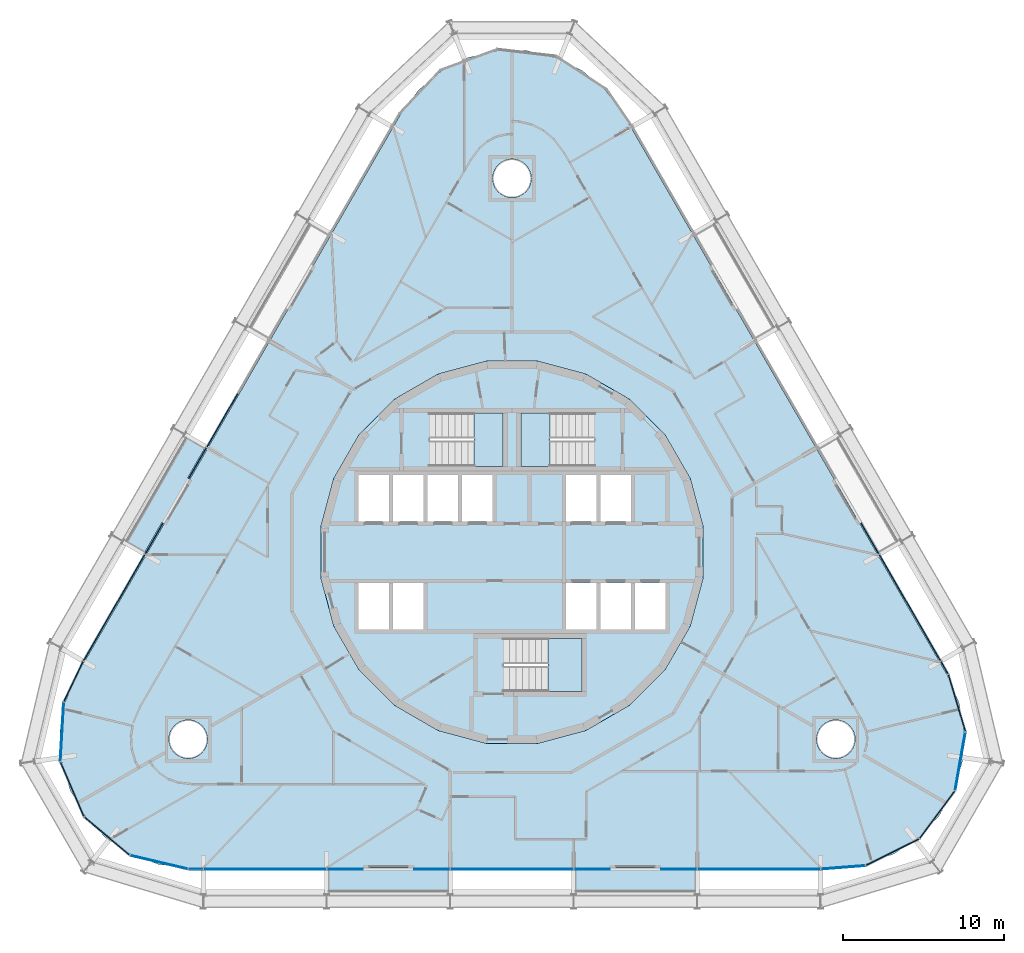
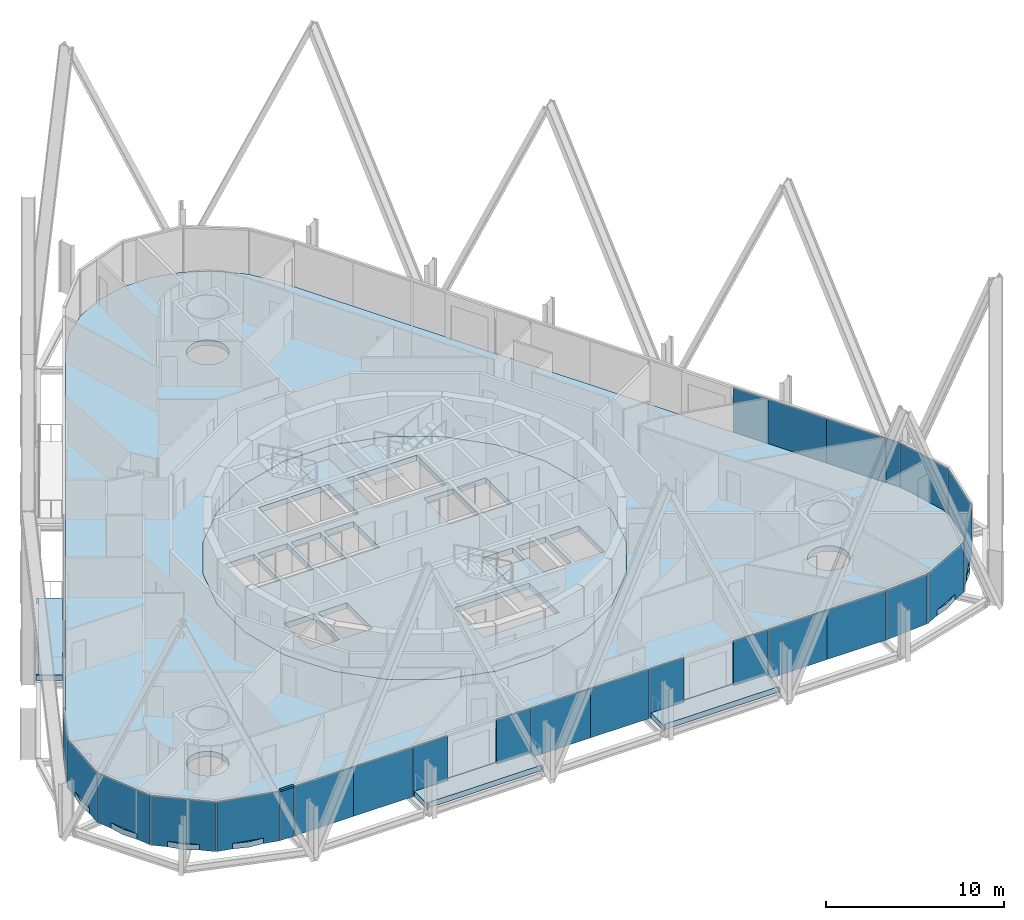
# One storey, part 13 of 22: 30 plates, 8 slabs, 1 member, 8 elements without a shape of their own.
"""IFC4 building model written with IfcOpenShell, lengths in metres."""

from ifc_helpers import new_model, si_unit, direction, frame, origin, origin_2d, place, context, subcontext, project, spatial, polyline, rectangle, outline, extrude, material, layer, layer_set, material_profile, profile_set, type_object, element, aggregate, save


model = new_model("IFC4")

# Units and contexts
model_context = context("Model", 3, precision=1e-05, world=origin(), true_north=direction((0.0, 1.0)))
body_context = subcontext(model_context, "Body", "Model", "MODEL_VIEW")
ifc_project = project(units=[si_unit("LENGTHUNIT", "METRE"), si_unit("AREAUNIT", "SQUARE_METRE"), si_unit("VOLUMEUNIT", "CUBIC_METRE"), si_unit("PLANEANGLEUNIT", "RADIAN"), si_unit("MASSUNIT", "GRAM", prefix="KILO")], contexts=[model_context])

# Site, building, storey
site_placement = place(None, origin())
site = spatial("IfcSite", under=ifc_project, at=site_placement, CompositionType="ELEMENT")
building_placement = place(site_placement, origin())
building = spatial("IfcBuilding", under=site, at=building_placement, Name="Spindle Arch Residences", CompositionType="ELEMENT")
storey_placement = place(building_placement, frame((0.0, 0.0, 52.39990234375)))
storey = spatial("IfcBuildingStorey", under=building, at=storey_placement, Name="L11", CompositionType="ELEMENT", Elevation=52.39990234375)

# Curtain wall, member
ifc_material_1 = material(Name="Aluminium bronze unitised frame with tinted glass", Category="aluminium")
ifc_layer_1 = layer(ifc_material_1, 0.159912109375)
ifc_layer_set_1 = layer_set([ifc_layer_1], Name="CW-D corner wall on the fillet arcs")
curtain_wall_type_1 = type_object("IfcCurtainWallType", Name="CW-D corner wall on the fillet arcs", PredefinedType="NOTDEFINED", material=ifc_layer_set_1)
curtain_wall_1_placement = place(storey_placement, origin())
curtain_wall_1 = element("IfcCurtainWall", 1, at=curtain_wall_1_placement, inside=storey, type_object=curtain_wall_type_1, Name="CW-D L11 run 5", PredefinedType="NOTDEFINED")
ifc_material_2 = material(Name="Aluminium bronze anodised transom", Category="aluminium")
ifc_material_profile = material_profile(ifc_material_2, rectangle(XDim=0.159912109375, YDim=0.1201171875, at=origin_2d()), Name="TR 120x160")
ifc_profile_set = profile_set([ifc_material_profile], Name="Aluminium bronze anodised transom")
member_type = type_object("IfcMemberType", Name="Bronze transom 120x160", PredefinedType="USERDEFINED", material=ifc_profile_set)
member_placement = place(storey_placement, frame((-20.113525390625, -19.7099609375, 3.06005859375), z_axis=(1.0, 0.0, 0.0), x_axis=(0.0, 1.0, 0.0)))
member = element("IfcMember", 2, at=member_placement, type_object=member_type, Name="CW-D transom 05", ObjectType="TRANSOM", PredefinedType="USERDEFINED", context=body_context, shape_type="SweptSolid", body=[
    extrude(rectangle(XDim=0.159912109375, YDim=0.1201171875, at=origin_2d()), origin(), (0.0, 0.0, 1.0), 0.88330078125),
])

# Slabs
ifc_material_3 = material(Name="Concrete C40/50", Category="concrete")
ifc_layer_2 = layer(ifc_material_3, 0.3798828125)
ifc_layer_set_2 = layer_set([ifc_layer_2], Name="Balcony slab 380")
slab_type_1 = type_object("IfcSlabType", Name="Balcony slab 380", PredefinedType="FLOOR", material=ifc_layer_set_2)
slab_1_placement = place(storey_placement, frame((0.0, 0.0, -0.3798828125)))
element("IfcSlab", 3, at=slab_1_placement, inside=storey, type_object=slab_type_1, Name="Balcony L11 bay 1", PredefinedType="FLOOR", context=body_context, shape_type="SweptSolid", body=[
    extrude(outline(polyline([(3.9150390625, -21.280029296875), (3.989990234375, -21.280029296875), (3.989990234375, -21.1298828125), (11.3701171875, -21.1298828125), (11.3701171875, -21.280029296875), (11.445068359375, -21.280029296875), (11.445068359375, -19.789794921875), (9.280029296875, -19.789794921875), (9.280029296875, -19.6298828125), (6.080078125, -19.6298828125), (6.080078125, -19.789794921875), (3.9150390625, -19.789794921875), (3.9150390625, -21.280029296875)])), origin(), (0.0, 0.0, 1.0), 0.3798828125),
])
slab_2_placement = place(storey_placement, frame((0.0, 0.0, -0.3798828125)))
element("IfcSlab", 4, at=slab_2_placement, inside=storey, type_object=slab_type_1, Name="Balcony L11 bay 17", PredefinedType="FLOOR", context=body_context, shape_type="SweptSolid", body=[
    extrude(outline(polyline([(-20.386474609375, 7.24951171875), (-20.424072265625, 7.1845703125), (-20.2939453125, 7.109375), (-23.984130859375, 0.71826171875), (-24.114013671875, 0.793212890625), (-24.151611328125, 0.728271484375), (-22.861083984375, -0.016845703125), (-21.778564453125, 1.858154296875), (-21.64013671875, 1.778076171875), (-20.0400390625, 4.549560546875), (-20.1787109375, 4.62939453125), (-19.09619140625, 6.50439453125), (-20.386474609375, 7.24951171875)])), origin(), (0.0, 0.0, 1.0), 0.3798828125),
])
slab_3_placement = place(storey_placement, frame((0.0, 0.0, -0.3798828125)))
element("IfcSlab", 5, at=slab_3_placement, inside=storey, type_object=slab_type_1, Name="Balcony L11 bay 23", PredefinedType="FLOOR", context=body_context, shape_type="SweptSolid", body=[
    extrude(outline(polyline([(-11.445068359375, -21.280029296875), (-11.3701171875, -21.280029296875), (-11.3701171875, -21.1298828125), (-3.989990234375, -21.1298828125), (-3.989990234375, -21.280029296875), (-3.9150390625, -21.280029296875), (-3.9150390625, -19.789794921875), (-6.080078125, -19.789794921875), (-6.080078125, -19.6298828125), (-9.280029296875, -19.6298828125), (-9.280029296875, -19.789794921875), (-11.445068359375, -19.789794921875), (-11.445068359375, -21.280029296875)])), origin(), (0.0, 0.0, 1.0), 0.3798828125),
])
ifc_material_4 = material(Name="Concrete C50/60", Category="concrete")
ifc_layer_3 = layer(ifc_material_4, 0.3798828125)
ifc_layer_set_3 = layer_set([ifc_layer_3], Name="Core floor slab 380")
slab_type_2 = type_object("IfcSlabType", Name="Core floor slab 380", PredefinedType="FLOOR", material=ifc_layer_set_3)
slab_4_placement = place(storey_placement, frame((0.0, 0.0, -0.3798828125)))
element("IfcSlab", 6, at=slab_4_placement, inside=storey, type_object=slab_type_2, Name="Core floor L11", PredefinedType="FLOOR", context=body_context, shape_type="SweptSolid", body=[
    extrude(outline(polyline([(1.56640625, -11.897216796875), (4.59228515625, -11.086669921875), (7.30517578125, -9.520263671875), (9.520263671875, -7.30517578125), (11.086669921875, -4.59228515625), (11.897216796875, -1.56640625), (11.897216796875, 1.56640625), (11.086669921875, 4.59228515625), (9.520263671875, 7.30517578125), (7.30517578125, 9.520263671875), (4.59228515625, 11.086669921875), (1.56640625, 11.897216796875), (-1.56640625, 11.897216796875), (-4.59228515625, 11.086669921875), (-7.30517578125, 9.520263671875), (-9.520263671875, 7.30517578125), (-11.086669921875, 4.59228515625), (-11.897216796875, 1.56640625), (-11.897216796875, -1.56640625), (-11.086669921875, -4.59228515625), (-9.520263671875, -7.30517578125), (-7.30517578125, -9.520263671875), (-4.59228515625, -11.086669921875), (-1.56640625, -11.897216796875), (1.56640625, -11.897216796875)]), holes=[polyline([(-9.550048828125, 1.89990234375), (-7.64990234375, 1.89990234375), (-7.64990234375, 4.800048828125), (-9.550048828125, 4.800048828125), (-9.550048828125, 1.89990234375)]), polyline([(-7.39990234375, 1.89990234375), (-5.5, 1.89990234375), (-5.5, 4.800048828125), (-7.39990234375, 4.800048828125), (-7.39990234375, 1.89990234375)]), polyline([(-5.25, 1.89990234375), (-3.35009765625, 1.89990234375), (-3.35009765625, 4.800048828125), (-5.25, 4.800048828125), (-5.25, 1.89990234375)]), polyline([(-3.10009765625, 1.89990234375), (-1.199951171875, 1.89990234375), (-1.199951171875, 4.800048828125), (-3.10009765625, 4.800048828125), (-3.10009765625, 1.89990234375)]), polyline([(3.35009765625, 1.89990234375), (5.25, 1.89990234375), (5.25, 4.800048828125), (3.35009765625, 4.800048828125), (3.35009765625, 1.89990234375)]), polyline([(5.5, 1.89990234375), (7.39990234375, 1.89990234375), (7.39990234375, 4.800048828125), (5.5, 4.800048828125), (5.5, 1.89990234375)]), polyline([(-9.550048828125, -4.800048828125), (-7.64990234375, -4.800048828125), (-7.64990234375, -1.89990234375), (-9.550048828125, -1.89990234375), (-9.550048828125, -4.800048828125)]), polyline([(-7.39990234375, -4.800048828125), (-5.5, -4.800048828125), (-5.5, -1.89990234375), (-7.39990234375, -1.89990234375), (-7.39990234375, -4.800048828125)]), polyline([(3.35009765625, -4.800048828125), (5.25, -4.800048828125), (5.25, -1.89990234375), (3.35009765625, -1.89990234375), (3.35009765625, -4.800048828125)]), polyline([(5.5, -4.800048828125), (7.39990234375, -4.800048828125), (7.39990234375, -1.89990234375), (5.5, -1.89990234375), (5.5, -4.800048828125)]), polyline([(7.64990234375, -4.800048828125), (9.550048828125, -4.800048828125), (9.550048828125, -1.89990234375), (7.64990234375, -1.89990234375), (7.64990234375, -4.800048828125)]), polyline([(5.1298828125, 8.669921875), (0.550048828125, 8.669921875), (0.550048828125, 5.35009765625), (5.1298828125, 5.35009765625), (5.1298828125, 8.669921875)]), polyline([(-5.1298828125, 5.35009765625), (-0.550048828125, 5.35009765625), (-0.550048828125, 8.669921875), (-5.1298828125, 8.669921875), (-5.1298828125, 5.35009765625)]), polyline([(-0.530029296875, -8.669921875), (4.35009765625, -8.669921875), (4.35009765625, -5.35009765625), (-0.530029296875, -5.35009765625), (-0.530029296875, -8.669921875)])]), origin(), (0.0, 0.0, 1.0), 0.3798828125),
])

# Stair, slab
ifc_material_5 = material(Name="Concrete C50/60", Category="concrete")
stair_type = type_object("IfcStairType", Name="Exit stair 16 risers", PredefinedType="HALF_TURN_STAIR", material=ifc_material_5)
stair_1_placement = place(storey_placement, origin())
stair_1 = element("IfcStair", 7, at=stair_1_placement, inside=storey, type_object=stair_type, Name="L11 Exit stair ST1", PredefinedType="HALF_TURN_STAIR")
ifc_material_6 = material(Name="Concrete C50/60", Category="concrete")
ifc_layer_4 = layer(ifc_material_6, 0.219970703125)
ifc_layer_set_4 = layer_set([ifc_layer_4], Name="Exit stair landing 220")
slab_type_3 = type_object("IfcSlabType", Name="Exit stair landing 220", PredefinedType="LANDING", material=ifc_layer_set_4)
slab_5_placement = place(storey_placement, frame((0.0, 0.0, 1.530029296875)))
slab_5 = element("IfcSlab", 8, at=slab_5_placement, type_object=slab_type_3, Name="ST1 landing 1", PredefinedType="LANDING", context=body_context, shape_type="SweptSolid", body=[
    extrude(outline(polyline([(2.3701171875, 8.669921875), (0.550048828125, 8.669921875), (0.550048828125, 5.35009765625), (2.3701171875, 5.35009765625), (2.3701171875, 8.669921875)])), origin(), (0.0, 0.0, 1.0), 0.219970703125),
])
aggregate(stair_1, [slab_5])

stair_2_placement = place(storey_placement, origin())
stair_2 = element("IfcStair", 9, at=stair_2_placement, inside=storey, type_object=stair_type, Name="L11 Exit stair ST2", PredefinedType="HALF_TURN_STAIR")
slab_6_placement = place(storey_placement, frame((0.0, 0.0, 1.530029296875)))
slab_6 = element("IfcSlab", 10, at=slab_6_placement, type_object=slab_type_3, Name="ST2 landing 1", PredefinedType="LANDING", context=body_context, shape_type="SweptSolid", body=[
    extrude(outline(polyline([(-2.3701171875, 5.35009765625), (-0.550048828125, 5.35009765625), (-0.550048828125, 8.669921875), (-2.3701171875, 8.669921875), (-2.3701171875, 5.35009765625)])), origin(), (0.0, 0.0, 1.0), 0.219970703125),
])
aggregate(stair_2, [slab_6])

stair_3_placement = place(storey_placement, origin())
stair_3 = element("IfcStair", 11, at=stair_3_placement, inside=storey, type_object=stair_type, Name="L11 Exit stair ST3", PredefinedType="HALF_TURN_STAIR")
slab_7_placement = place(storey_placement, frame((0.0, 0.0, 1.530029296875)))
slab_7 = element("IfcSlab", 12, at=slab_7_placement, type_object=slab_type_3, Name="ST3 landing 1", PredefinedType="LANDING", context=body_context, shape_type="SweptSolid", body=[
    extrude(outline(polyline([(2.22998046875, -8.669921875), (4.35009765625, -8.669921875), (4.35009765625, -5.35009765625), (2.22998046875, -5.35009765625), (2.22998046875, -8.669921875)])), origin(), (0.0, 0.0, 1.0), 0.219970703125),
])
aggregate(stair_3, [slab_7])

# Slab
ifc_material_7 = material(Name="Concrete C40/50", Category="concrete")
ifc_layer_5 = layer(ifc_material_7, 0.3798828125)
ifc_layer_set_5 = layer_set([ifc_layer_5], Name="Floor slab 380")
slab_type_4 = type_object("IfcSlabType", Name="Floor slab 380", PredefinedType="FLOOR", material=ifc_layer_set_5)
slab_8_placement = place(storey_placement, frame((0.0, 0.0, -0.3798828125)))
element("IfcSlab", 13, at=slab_8_placement, inside=storey, type_object=slab_type_4, Name="Floor slab L11", PredefinedType="FLOOR", context=body_context, shape_type="SweptSolid", body=[
    extrude(outline(polyline([(-21.988525390625, -19.414306640625), (-23.73388671875, -18.779052734375), (-25.285888671875, -17.75830078125), (-26.560546875, -16.4072265625), (-27.4892578125, -14.798583984375), (-28.022216796875, -13.01904296875), (-28.130126953125, -11.164794921875), (-27.8076171875, -9.33544921875), (-27.07177734375, -7.6298828125), (-6.92822265625, 27.259765625), (-5.819091796875, 28.749755859375), (-4.39599609375, 29.943603515625), (-2.736083984375, 30.77734375), (-0.9287109375, 31.205810546875), (0.9287109375, 31.205810546875), (2.736083984375, 30.77734375), (4.39599609375, 29.943603515625), (5.819091796875, 28.749755859375), (6.92822265625, 27.259765625), (27.07177734375, -7.6298828125), (27.8076171875, -9.33544921875), (28.130126953125, -11.164794921875), (28.022216796875, -13.01904296875), (27.4892578125, -14.798583984375), (26.560546875, -16.4072265625), (25.285888671875, -17.75830078125), (23.73388671875, -18.779052734375), (21.988525390625, -19.414306640625), (20.1435546875, -19.6298828125), (0.0, -19.6298828125), (-20.1435546875, -19.6298828125), (-21.988525390625, -19.414306640625)]), holes=[polyline([(7.30517578125, -9.520263671875), (9.520263671875, -7.30517578125), (11.086669921875, -4.59228515625), (11.897216796875, -1.56640625), (11.897216796875, 1.56640625), (11.086669921875, 4.59228515625), (9.520263671875, 7.30517578125), (7.30517578125, 9.520263671875), (4.59228515625, 11.086669921875), (1.56640625, 11.897216796875), (-1.56640625, 11.897216796875), (-4.59228515625, 11.086669921875), (-7.30517578125, 9.520263671875), (-9.520263671875, 7.30517578125), (-11.086669921875, 4.59228515625), (-11.897216796875, 1.56640625), (-11.897216796875, -1.56640625), (-11.086669921875, -4.59228515625), (-9.520263671875, -7.30517578125), (-7.30517578125, -9.520263671875), (-4.59228515625, -11.086669921875), (-1.56640625, -11.897216796875), (1.56640625, -11.897216796875), (4.59228515625, -11.086669921875), (7.30517578125, -9.520263671875)]), polyline([(-19.295166015625, -12.478515625), (-19.145751953125, -12.296630859375), (-19.034912109375, -12.089111328125), (-18.966796875, -11.864013671875), (-18.943603515625, -11.6298828125), (-18.966796875, -11.395751953125), (-19.034912109375, -11.170654296875), (-19.145751953125, -10.963134765625), (-19.295166015625, -10.781494140625), (-19.476806640625, -10.632080078125), (-19.684326171875, -10.521240234375), (-19.909423828125, -10.452880859375), (-20.1435546875, -10.429931640625), (-20.377685546875, -10.452880859375), (-20.602783203125, -10.521240234375), (-20.810302734375, -10.632080078125), (-20.9921875, -10.781494140625), (-21.141357421875, -10.963134765625), (-21.252197265625, -11.170654296875), (-21.320556640625, -11.395751953125), (-21.343505859375, -11.6298828125), (-21.320556640625, -11.864013671875), (-21.252197265625, -12.089111328125), (-21.141357421875, -12.296630859375), (-20.9921875, -12.478515625), (-20.810302734375, -12.627685546875), (-20.602783203125, -12.738525390625), (-20.377685546875, -12.806884765625), (-20.1435546875, -12.829833984375), (-19.909423828125, -12.806884765625), (-19.684326171875, -12.738525390625), (-19.476806640625, -12.627685546875), (-19.295166015625, -12.478515625)]), polyline([(0.848388671875, 22.411376953125), (0.997802734375, 22.593017578125), (1.108642578125, 22.800537109375), (1.177001953125, 23.025634765625), (1.199951171875, 23.259765625), (1.177001953125, 23.493896484375), (1.108642578125, 23.718994140625), (0.997802734375, 23.926513671875), (0.848388671875, 24.1083984375), (0.666748046875, 24.257568359375), (0.459228515625, 24.368408203125), (0.234130859375, 24.436767578125), (0.0, 24.459716796875), (-0.234130859375, 24.436767578125), (-0.459228515625, 24.368408203125), (-0.666748046875, 24.257568359375), (-0.848388671875, 24.1083984375), (-0.997802734375, 23.926513671875), (-1.108642578125, 23.718994140625), (-1.177001953125, 23.493896484375), (-1.199951171875, 23.259765625), (-1.177001953125, 23.025634765625), (-1.108642578125, 22.800537109375), (-0.997802734375, 22.593017578125), (-0.848388671875, 22.411376953125), (-0.666748046875, 22.261962890625), (-0.459228515625, 22.151123046875), (-0.234130859375, 22.0830078125), (0.0, 22.059814453125), (0.234130859375, 22.0830078125), (0.459228515625, 22.151123046875), (0.666748046875, 22.261962890625), (0.848388671875, 22.411376953125)]), polyline([(20.9921875, -12.478515625), (21.141357421875, -12.296630859375), (21.252197265625, -12.089111328125), (21.320556640625, -11.864013671875), (21.343505859375, -11.6298828125), (21.320556640625, -11.395751953125), (21.252197265625, -11.170654296875), (21.141357421875, -10.963134765625), (20.9921875, -10.781494140625), (20.810302734375, -10.632080078125), (20.602783203125, -10.521240234375), (20.377685546875, -10.452880859375), (20.1435546875, -10.429931640625), (19.909423828125, -10.452880859375), (19.684326171875, -10.521240234375), (19.476806640625, -10.632080078125), (19.295166015625, -10.781494140625), (19.145751953125, -10.963134765625), (19.034912109375, -11.170654296875), (18.966796875, -11.395751953125), (18.943603515625, -11.6298828125), (18.966796875, -11.864013671875), (19.034912109375, -12.089111328125), (19.145751953125, -12.296630859375), (19.295166015625, -12.478515625), (19.476806640625, -12.627685546875), (19.684326171875, -12.738525390625), (19.909423828125, -12.806884765625), (20.1435546875, -12.829833984375), (20.377685546875, -12.806884765625), (20.602783203125, -12.738525390625), (20.810302734375, -12.627685546875), (20.9921875, -12.478515625)])]), origin(), (0.0, 0.0, 1.0), 0.3798828125),
])

# Curtain wall, plates
curtain_wall_2_placement = place(storey_placement, origin())
curtain_wall_2 = element("IfcCurtainWall", 14, at=curtain_wall_2_placement, inside=storey, type_object=curtain_wall_type_1, Name="CW-D L11 run 1", PredefinedType="NOTDEFINED")
ifc_material_8 = material(Name="Tinted double glazing over aluminium faced non-combustible spandrel zone (K0)", Category="aluminium")
ifc_layer_6 = layer(ifc_material_8, 0.06005859375)
ifc_layer_set_6 = layer_set([ifc_layer_6], Name="Unitised glass panel with E 60 spandrel zone")
plate_type = type_object("IfcPlateType", Name="Unitised glass panel with E 60 spandrel zone", PredefinedType="CURTAIN_PANEL", material=ifc_layer_set_6)
plate_1_placement = place(storey_placement, frame((20.603515625, -19.60107421875, -0.3798828125), z_axis=(0.0, 0.0, 1.0), x_axis=(0.997002907861, 0.077364085451, 0.0)))
plate_1 = element("IfcPlate", 15, at=plate_1_placement, type_object=plate_type, Name="CW-D unit 00", PredefinedType="CURTAIN_PANEL", context=body_context, shape_type="SweptSolid", body=[
    extrude(rectangle(XDim=2.755126953125, YDim=0.06005859375, at=origin_2d()), origin(), (0.0, 0.0, 1.0), 3.3798828125),
])
plate_2_placement = place(storey_placement, frame((23.672119140625, -18.65576171875, -0.3798828125), z_axis=(0.0, 0.0, 1.0), x_axis=(0.893632642326, 0.448799176213, 0.0)))
plate_2 = element("IfcPlate", 16, at=plate_2_placement, type_object=plate_type, Name="CW-D unit 01", PredefinedType="CURTAIN_PANEL", context=body_context, shape_type="SweptSolid", body=[
    extrude(rectangle(XDim=3.666748046875, YDim=0.06005859375, at=origin_2d()), origin(), (0.0, 0.0, 1.0), 3.3798828125),
])
plate_3_placement = place(storey_placement, frame((26.449951171875, -16.324951171875, -0.3798828125), z_axis=(0.0, 0.0, 1.0), x_axis=(0.597158595823, 0.802123189687, 0.0)))
plate_3 = element("IfcPlate", 17, at=plate_3_placement, type_object=plate_type, Name="CW-D unit 02", PredefinedType="CURTAIN_PANEL", context=body_context, shape_type="SweptSolid", body=[
    extrude(rectangle(XDim=3.666748046875, YDim=0.06005859375, at=origin_2d()), origin(), (0.0, 0.0, 1.0), 3.3798828125),
])
plate_4_placement = place(storey_placement, frame((27.88623046875, -12.9951171875, -0.3798828125), z_axis=(0.0, 0.0, 1.0), x_axis=(0.173648181019, 0.984807752421, 0.0)))
plate_4 = element("IfcPlate", 18, at=plate_4_placement, type_object=plate_type, Name="CW-D unit 03", PredefinedType="CURTAIN_PANEL", context=body_context, shape_type="SweptSolid", body=[
    extrude(rectangle(XDim=3.666748046875, YDim=0.06005859375, at=origin_2d()), origin(), (0.0, 0.0, 1.0), 3.3798828125),
])
plate_5_placement = place(storey_placement, frame((27.675537109375, -9.375, -0.3798828125), z_axis=(0.0, 0.0, 1.0), x_axis=(-0.28680323051, 0.957989512975, 0.0)))
plate_5 = element("IfcPlate", 19, at=plate_5_placement, type_object=plate_type, Name="CW-D unit 04", PredefinedType="CURTAIN_PANEL", context=body_context, shape_type="SweptSolid", body=[
    extrude(rectangle(XDim=3.666748046875, YDim=0.06005859375, at=origin_2d()), origin(), (0.0, 0.0, 1.0), 3.3798828125),
])
plate_6_placement = place(storey_placement, frame((26.9052734375, -7.181396484375, -0.3798828125), z_axis=(0.0, 0.0, 1.0), x_axis=(-0.5, 0.866025403784, 0.0)))
plate_6 = element("IfcPlate", 20, at=plate_6_placement, type_object=plate_type, Name="CW-D unit 05", PredefinedType="CURTAIN_PANEL", context=body_context, shape_type="SweptSolid", body=[
    extrude(rectangle(XDim=0.88330078125, YDim=0.06005859375, at=origin_2d()), origin(), (0.0, 0.0, 1.0), 3.3798828125),
])
aggregate(curtain_wall_2, [plate_1, plate_2, plate_3, plate_4, plate_5, plate_6])

ifc_material_9 = material(Name="Aluminium bronze unitised frame with tinted glass", Category="aluminium")
ifc_layer_7 = layer(ifc_material_9, 0.159912109375)
ifc_layer_set_7 = layer_set([ifc_layer_7], Name="CW-C typical residential unitised wall")
curtain_wall_type_2 = type_object("IfcCurtainWallType", Name="CW-C typical residential unitised wall", PredefinedType="NOTDEFINED", material=ifc_layer_set_7)
curtain_wall_3_placement = place(storey_placement, origin())
curtain_wall_3 = element("IfcCurtainWall", 21, at=curtain_wall_3_placement, inside=storey, type_object=curtain_wall_type_2, Name="CW-C L11 run 2", PredefinedType="NOTDEFINED")
plate_7_placement = place(storey_placement, frame((25.701904296875, -5.09716796875, -0.3798828125), z_axis=(0.0, 0.0, 1.0), x_axis=(-0.5, 0.866025403784, 0.0)))
plate_7 = element("IfcPlate", 22, at=plate_7_placement, type_object=plate_type, Name="CW-C unit 05A", PredefinedType="CURTAIN_PANEL", context=body_context, shape_type="SweptSolid", body=[
    extrude(rectangle(XDim=3.81005859375, YDim=0.06005859375, at=origin_2d()), origin(), (0.0, 0.0, 1.0), 3.3798828125),
])
plate_8_placement = place(storey_placement, frame((23.796875, -1.797607421875, -0.3798828125), z_axis=(0.0, 0.0, 1.0), x_axis=(-0.5, 0.866025403784, 0.0)))
plate_8 = element("IfcPlate", 23, at=plate_8_placement, type_object=plate_type, Name="CW-C unit 05B", PredefinedType="CURTAIN_PANEL", context=body_context, shape_type="SweptSolid", body=[
    extrude(rectangle(XDim=3.81005859375, YDim=0.06005859375, at=origin_2d()), origin(), (0.0, 0.0, 1.0), 3.3798828125),
])
plate_9_placement = place(storey_placement, frame((22.26171875, 0.861083984375, -0.3798828125), z_axis=(0.0, 0.0, 1.0), x_axis=(-0.5, 0.866025403784, 0.0)))
plate_9 = element("IfcPlate", 24, at=plate_9_placement, type_object=plate_type, Name="CW-C unit 06L", PredefinedType="CURTAIN_PANEL", context=body_context, shape_type="SweptSolid", body=[
    extrude(rectangle(XDim=2.2099609375, YDim=0.06005859375, at=origin_2d()), origin(), (0.0, 0.0, 1.0), 3.3798828125),
])
aggregate(curtain_wall_3, [plate_7, plate_8, plate_9])

curtain_wall_4_placement = place(storey_placement, origin())
curtain_wall_4 = element("IfcCurtainWall", 25, at=curtain_wall_4_placement, inside=storey, type_object=curtain_wall_type_2, Name="CW-C L11 run 4", PredefinedType="NOTDEFINED")
plate_10_placement = place(storey_placement, frame((-18.021728515625, 8.205078125, -0.3798828125), z_axis=(0.0, 0.0, 1.0), x_axis=(-0.5, -0.866025403784, 0.0)))
plate_10 = element("IfcPlate", 26, at=plate_10_placement, type_object=plate_type, Name="CW-C unit 15B", PredefinedType="CURTAIN_PANEL", context=body_context, shape_type="SweptSolid", body=[
    extrude(rectangle(XDim=3.81005859375, YDim=0.06005859375, at=origin_2d()), origin(), (0.0, 0.0, 1.0), 3.3798828125),
])
plate_11_placement = place(storey_placement, frame((-19.556884765625, 5.54638671875, -0.3798828125), z_axis=(0.0, 0.0, 1.0), x_axis=(-0.5, -0.866025403784, 0.0)))
plate_11 = element("IfcPlate", 27, at=plate_11_placement, type_object=plate_type, Name="CW-C unit 16L", PredefinedType="CURTAIN_PANEL", context=body_context, shape_type="SweptSolid", body=[
    extrude(rectangle(XDim=2.2099609375, YDim=0.06005859375, at=origin_2d()), origin(), (0.0, 0.0, 1.0), 3.3798828125),
])
plate_12_placement = place(storey_placement, frame((-22.26171875, 0.861083984375, -0.3798828125), z_axis=(0.0, 0.0, 1.0), x_axis=(-0.5, -0.866025403784, 0.0)))
plate_12 = element("IfcPlate", 28, at=plate_12_placement, type_object=plate_type, Name="CW-C unit 16R", PredefinedType="CURTAIN_PANEL", context=body_context, shape_type="SweptSolid", body=[
    extrude(rectangle(XDim=2.2099609375, YDim=0.06005859375, at=origin_2d()), origin(), (0.0, 0.0, 1.0), 3.3798828125),
])
plate_13_placement = place(storey_placement, frame((-23.796875, -1.797607421875, -0.3798828125), z_axis=(0.0, 0.0, 1.0), x_axis=(-0.5, -0.866025403784, 0.0)))
plate_13 = element("IfcPlate", 29, at=plate_13_placement, type_object=plate_type, Name="CW-C unit 17A", PredefinedType="CURTAIN_PANEL", context=body_context, shape_type="SweptSolid", body=[
    extrude(rectangle(XDim=3.81005859375, YDim=0.06005859375, at=origin_2d()), origin(), (0.0, 0.0, 1.0), 3.3798828125),
])
plate_14_placement = place(storey_placement, frame((-25.701904296875, -5.09716796875, -0.3798828125), z_axis=(0.0, 0.0, 1.0), x_axis=(-0.5, -0.866025403784, 0.0)))
plate_14 = element("IfcPlate", 30, at=plate_14_placement, type_object=plate_type, Name="CW-C unit 17B", PredefinedType="CURTAIN_PANEL", context=body_context, shape_type="SweptSolid", body=[
    extrude(rectangle(XDim=3.81005859375, YDim=0.06005859375, at=origin_2d()), origin(), (0.0, 0.0, 1.0), 3.3798828125),
])
aggregate(curtain_wall_4, [plate_10, plate_11, plate_12, plate_13, plate_14])

# Plate
plate_15_placement = place(storey_placement, frame((-27.27685546875, -8.042724609375, -0.3798828125), z_axis=(0.0, 0.0, 1.0), x_axis=(-0.431502189519, -0.902111889092, 0.0)))
plate_15 = element("IfcPlate", 31, at=plate_15_placement, type_object=plate_type, Name="CW-D unit 00", PredefinedType="CURTAIN_PANEL", context=body_context, shape_type="SweptSolid", body=[
    extrude(rectangle(XDim=2.755126953125, YDim=0.06005859375, at=origin_2d()), origin(), (0.0, 0.0, 1.0), 3.3798828125),
])

plate_16_placement = place(storey_placement, frame((-27.992431640625, -11.1728515625, -0.3798828125), z_axis=(0.0, 0.0, 1.0), x_axis=(-0.058144829968, -0.99830815821, 0.0)))
plate_16 = element("IfcPlate", 32, at=plate_16_placement, type_object=plate_type, Name="CW-D unit 01", PredefinedType="CURTAIN_PANEL", context=body_context, shape_type="SweptSolid", body=[
    extrude(rectangle(XDim=3.666748046875, YDim=0.06005859375, at=origin_2d()), origin(), (0.0, 0.0, 1.0), 3.3798828125),
])

plate_17_placement = place(storey_placement, frame((-27.36279296875, -14.743896484375, -0.3798828125), z_axis=(0.0, 0.0, 1.0), x_axis=(0.396079766691, -0.918216106599, 0.0)))
plate_17 = element("IfcPlate", 33, at=plate_17_placement, type_object=plate_type, Name="CW-D unit 02", PredefinedType="CURTAIN_PANEL", context=body_context, shape_type="SweptSolid", body=[
    extrude(rectangle(XDim=3.666748046875, YDim=0.06005859375, at=origin_2d()), origin(), (0.0, 0.0, 1.0), 3.3798828125),
])

plate_18_placement = place(storey_placement, frame((-25.197265625, -17.652587890625, -0.3798828125), z_axis=(0.0, 0.0, 1.0), x_axis=(0.766044445239, -0.64278760716, 0.0)))
plate_18 = element("IfcPlate", 34, at=plate_18_placement, type_object=plate_type, Name="CW-D unit 03", PredefinedType="CURTAIN_PANEL", context=body_context, shape_type="SweptSolid", body=[
    extrude(rectangle(XDim=3.666748046875, YDim=0.06005859375, at=origin_2d()), origin(), (0.0, 0.0, 1.0), 3.3798828125),
])

plate_19_placement = place(storey_placement, frame((-21.956787109375, -19.2802734375, -0.3798828125), z_axis=(0.0, 0.0, 1.0), x_axis=(0.973044871028, -0.230615868852, 0.0)))
plate_19 = element("IfcPlate", 35, at=plate_19_placement, type_object=plate_type, Name="CW-D unit 04", PredefinedType="CURTAIN_PANEL", context=body_context, shape_type="SweptSolid", body=[
    extrude(rectangle(XDim=3.666748046875, YDim=0.06005859375, at=origin_2d()), origin(), (0.0, 0.0, 1.0), 3.3798828125),
])

plate_20_placement = place(storey_placement, frame((-19.671875, -19.7099609375, -0.3798828125), z_axis=(0.0, 0.0, 1.0), x_axis=(1.0, 0.0, 0.0)))
plate_20 = element("IfcPlate", 36, at=plate_20_placement, type_object=plate_type, Name="CW-D unit 05", PredefinedType="CURTAIN_PANEL", context=body_context, shape_type="SweptSolid", body=[
    extrude(rectangle(XDim=0.88330078125, YDim=0.06005859375, at=origin_2d()), origin(), (0.0, 0.0, 1.0), 3.3798828125),
])

aggregate(curtain_wall_1, [plate_15, plate_16, plate_17, plate_18, plate_19, member, plate_20])

# Curtain wall, plates
curtain_wall_5_placement = place(storey_placement, origin())
curtain_wall_5 = element("IfcCurtainWall", 37, at=curtain_wall_5_placement, inside=storey, type_object=curtain_wall_type_2, Name="CW-C L11 run 6", PredefinedType="NOTDEFINED")
plate_21_placement = place(storey_placement, frame((-17.26513671875, -19.7099609375, -0.3798828125), z_axis=(0.0, 0.0, 1.0), x_axis=(1.0, 0.0, 0.0)))
plate_21 = element("IfcPlate", 38, at=plate_21_placement, type_object=plate_type, Name="CW-C unit 21A", PredefinedType="CURTAIN_PANEL", context=body_context, shape_type="SweptSolid", body=[
    extrude(rectangle(XDim=3.81005859375, YDim=0.06005859375, at=origin_2d()), origin(), (0.0, 0.0, 1.0), 3.3798828125),
])
plate_22_placement = place(storey_placement, frame((-13.455078125, -19.7099609375, -0.3798828125), z_axis=(0.0, 0.0, 1.0), x_axis=(1.0, 0.0, 0.0)))
plate_22 = element("IfcPlate", 39, at=plate_22_placement, type_object=plate_type, Name="CW-C unit 21B", PredefinedType="CURTAIN_PANEL", context=body_context, shape_type="SweptSolid", body=[
    extrude(rectangle(XDim=3.81005859375, YDim=0.06005859375, at=origin_2d()), origin(), (0.0, 0.0, 1.0), 3.3798828125),
])
plate_23_placement = place(storey_placement, frame((-10.385009765625, -19.7099609375, -0.3798828125), z_axis=(0.0, 0.0, 1.0), x_axis=(1.0, 0.0, 0.0)))
plate_23 = element("IfcPlate", 40, at=plate_23_placement, type_object=plate_type, Name="CW-C unit 22L", PredefinedType="CURTAIN_PANEL", context=body_context, shape_type="SweptSolid", body=[
    extrude(rectangle(XDim=2.2099609375, YDim=0.06005859375, at=origin_2d()), origin(), (0.0, 0.0, 1.0), 3.3798828125),
])
plate_24_placement = place(storey_placement, frame((-4.97509765625, -19.7099609375, -0.3798828125), z_axis=(0.0, 0.0, 1.0), x_axis=(1.0, 0.0, 0.0)))
plate_24 = element("IfcPlate", 41, at=plate_24_placement, type_object=plate_type, Name="CW-C unit 22R", PredefinedType="CURTAIN_PANEL", context=body_context, shape_type="SweptSolid", body=[
    extrude(rectangle(XDim=2.2099609375, YDim=0.06005859375, at=origin_2d()), origin(), (0.0, 0.0, 1.0), 3.3798828125),
])
plate_25_placement = place(storey_placement, frame((-1.905029296875, -19.7099609375, -0.3798828125), z_axis=(0.0, 0.0, 1.0), x_axis=(1.0, 0.0, 0.0)))
plate_25 = element("IfcPlate", 42, at=plate_25_placement, type_object=plate_type, Name="CW-C unit 23A", PredefinedType="CURTAIN_PANEL", context=body_context, shape_type="SweptSolid", body=[
    extrude(rectangle(XDim=3.81005859375, YDim=0.06005859375, at=origin_2d()), origin(), (0.0, 0.0, 1.0), 3.3798828125),
])
plate_26_placement = place(storey_placement, frame((1.905029296875, -19.7099609375, -0.3798828125), z_axis=(0.0, 0.0, 1.0), x_axis=(1.0, 0.0, 0.0)))
plate_26 = element("IfcPlate", 43, at=plate_26_placement, type_object=plate_type, Name="CW-C unit 23B", PredefinedType="CURTAIN_PANEL", context=body_context, shape_type="SweptSolid", body=[
    extrude(rectangle(XDim=3.81005859375, YDim=0.06005859375, at=origin_2d()), origin(), (0.0, 0.0, 1.0), 3.3798828125),
])
plate_27_placement = place(storey_placement, frame((4.97509765625, -19.7099609375, -0.3798828125), z_axis=(0.0, 0.0, 1.0), x_axis=(1.0, 0.0, 0.0)))
plate_27 = element("IfcPlate", 44, at=plate_27_placement, type_object=plate_type, Name="CW-C unit 00L", PredefinedType="CURTAIN_PANEL", context=body_context, shape_type="SweptSolid", body=[
    extrude(rectangle(XDim=2.2099609375, YDim=0.06005859375, at=origin_2d()), origin(), (0.0, 0.0, 1.0), 3.3798828125),
])
plate_28_placement = place(storey_placement, frame((10.385009765625, -19.7099609375, -0.3798828125), z_axis=(0.0, 0.0, 1.0), x_axis=(1.0, 0.0, 0.0)))
plate_28 = element("IfcPlate", 45, at=plate_28_placement, type_object=plate_type, Name="CW-C unit 00R", PredefinedType="CURTAIN_PANEL", context=body_context, shape_type="SweptSolid", body=[
    extrude(rectangle(XDim=2.2099609375, YDim=0.06005859375, at=origin_2d()), origin(), (0.0, 0.0, 1.0), 3.3798828125),
])
plate_29_placement = place(storey_placement, frame((13.455078125, -19.7099609375, -0.3798828125), z_axis=(0.0, 0.0, 1.0), x_axis=(1.0, 0.0, 0.0)))
plate_29 = element("IfcPlate", 46, at=plate_29_placement, type_object=plate_type, Name="CW-C unit 01A", PredefinedType="CURTAIN_PANEL", context=body_context, shape_type="SweptSolid", body=[
    extrude(rectangle(XDim=3.81005859375, YDim=0.06005859375, at=origin_2d()), origin(), (0.0, 0.0, 1.0), 3.3798828125),
])
plate_30_placement = place(storey_placement, frame((17.26513671875, -19.7099609375, -0.3798828125), z_axis=(0.0, 0.0, 1.0), x_axis=(1.0, 0.0, 0.0)))
plate_30 = element("IfcPlate", 47, at=plate_30_placement, type_object=plate_type, Name="CW-C unit 01B", PredefinedType="CURTAIN_PANEL", context=body_context, shape_type="SweptSolid", body=[
    extrude(rectangle(XDim=3.81005859375, YDim=0.06005859375, at=origin_2d()), origin(), (0.0, 0.0, 1.0), 3.3798828125),
])
aggregate(curtain_wall_5, [plate_21, plate_22, plate_23, plate_24, plate_25, plate_26, plate_27, plate_28, plate_29, plate_30])

save(model, "model.ifc")
